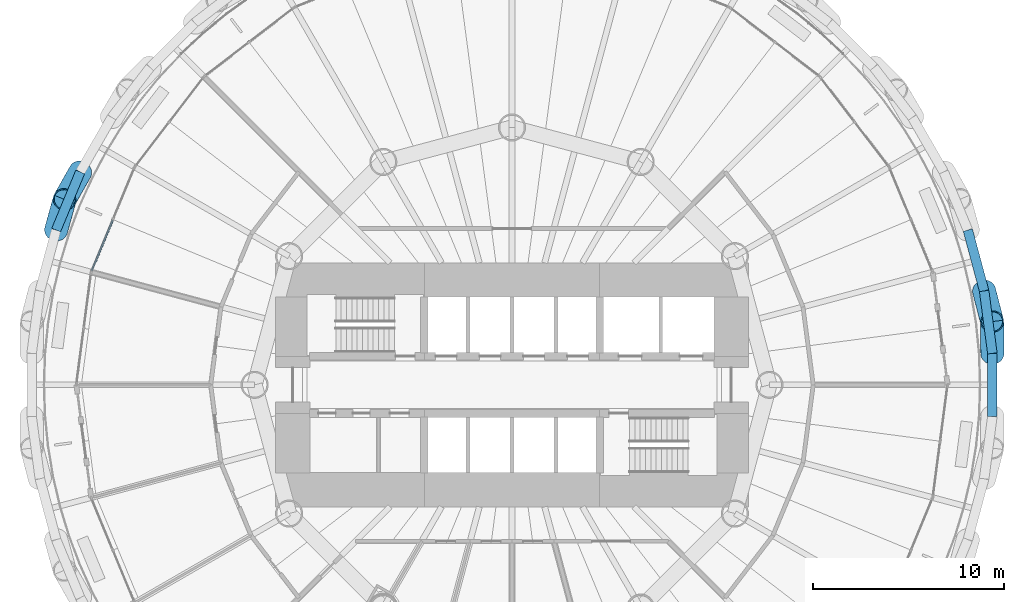
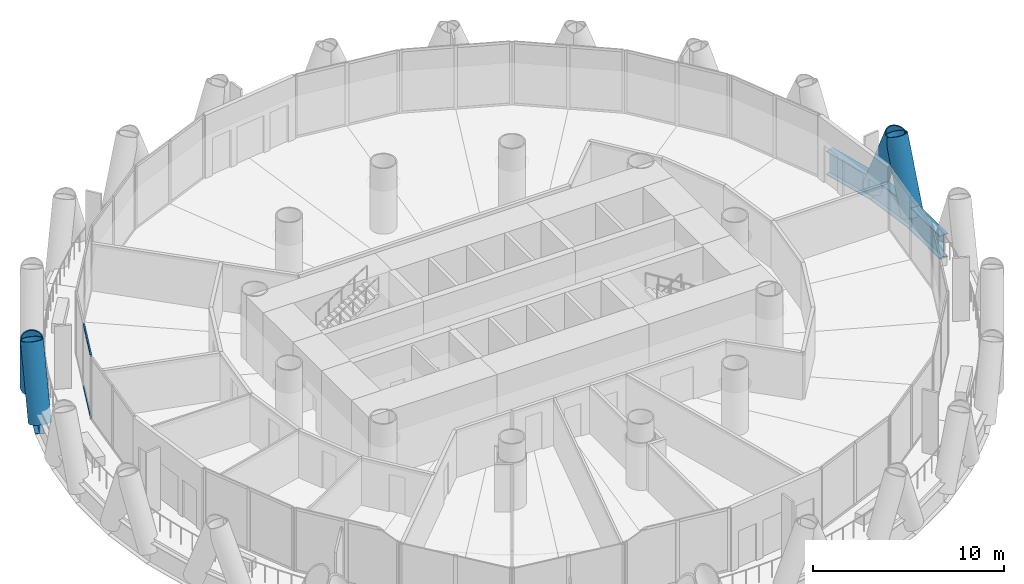
# One storey, part 5 of 16: 6 members, 4 beams, 1 element without a shape of its own.
"""IFC4 building model written with IfcOpenShell, lengths in metres."""

import ifcopenshell
import ifcopenshell.guid

model = None  # the IFC model being written
_history = None  # IfcOwnerHistory: only IFC2X3 demands one
_inside = {}  # id of a spatial element -> (the spatial element, [elements in it])
_under = {}  # id of a project, library or spatial element -> (it, [spatial elements below it])
_declared = {}  # id of a project -> (the project, [libraries it declares])
_typed = {}  # id of a type object -> (the type object, [elements of that type])
_made_of = {}  # id of a material, layer set ... -> (it, [elements and type objects made of it])


def new_model(schema):
    """Start an empty IFC model of exactly this schema.

    Asked for "IFC4X3", IfcOpenShell would pick the latest addendum, in which some entities
    have other attributes; the version numbers below select the first issue.
    IFC2X3 requires an IfcOwnerHistory on every rooted entity: one is made here for all.
    """
    global model, _history
    if schema == "IFC4X3":
        model = ifcopenshell.file(schema_version=(4, 3, 0, 0))
    else:
        model = ifcopenshell.file(schema=schema)
    _inside.clear()
    _under.clear()
    _declared.clear()
    _typed.clear()
    _made_of.clear()
    _history = None
    if model.schema == "IFC2X3":
        org = make("IfcOrganization", Name="unknown")
        user = make(
            "IfcPersonAndOrganization",
            ThePerson=make("IfcPerson", FamilyName="unknown"),
            TheOrganization=org,
        )
        app = make(
            "IfcApplication",
            ApplicationDeveloper=org,
            Version="unknown",
            ApplicationFullName="unknown",
            ApplicationIdentifier="unknown",
        )
        _history = make(
            "IfcOwnerHistory",
            OwningUser=user,
            OwningApplication=app,
            ChangeAction="ADDED",
            CreationDate=0,
        )
    return model


def make(cls, **values):
    """One entity of the class cls with the attributes given. An attribute that is None is left unset."""
    return model.create_entity(
        cls, **{name: value for name, value in values.items() if value is not None}
    )


def rooted(cls, **values):
    """An entity with a GlobalId (a new one), such as an element, a storey or a relation."""
    return make(cls, GlobalId=ifcopenshell.guid.new(), OwnerHistory=_history, **values)


def si_unit(unit_type, name, prefix=None):
    """IfcSIUnit, for example si_unit("LENGTHUNIT", "METRE", prefix="MILLI")."""
    return make("IfcSIUnit", UnitType=unit_type, Prefix=prefix, Name=name)


def assignment(units):
    """IfcUnitAssignment: the units of a project."""
    return None if units is None else make("IfcUnitAssignment", Units=units)


def point(xyz):
    """IfcCartesianPoint."""
    return None if xyz is None else make("IfcCartesianPoint", Coordinates=xyz)


def direction(xyz):
    """IfcDirection."""
    return None if xyz is None else make("IfcDirection", DirectionRatios=xyz)


def frame(location, z_axis=None, x_axis=None):
    """IfcAxis2Placement3D, a coordinate frame: its origin and axes. An axis left out is left unset."""
    return make(
        "IfcAxis2Placement3D",
        Location=point(location),
        Axis=direction(z_axis),
        RefDirection=direction(x_axis),
    )


def frame_2d(location, x_axis=None):
    """IfcAxis2Placement2D, a coordinate frame in the plane: its origin and x axis."""
    return make(
        "IfcAxis2Placement2D", Location=point(location), RefDirection=direction(x_axis)
    )


def origin():
    """The frame at (0, 0, 0) with its axes left unset."""
    return frame((0.0, 0.0, 0.0))


def origin_2d():
    """The frame at (0, 0) in the plane with its x axis left unset."""
    return frame_2d((0.0, 0.0))


def place(relative_to, where):
    """IfcLocalPlacement: puts the frame where relative to a parent placement (None: the world)."""
    return make(
        "IfcLocalPlacement", PlacementRelTo=relative_to, RelativePlacement=where
    )


def context(
    kind, dimensions, precision=None, world=None, true_north=None, identifier=None
):
    """IfcGeometricRepresentationContext, for example the 3D "Model" context."""
    return make(
        "IfcGeometricRepresentationContext",
        ContextIdentifier=identifier,
        ContextType=kind,
        CoordinateSpaceDimension=dimensions,
        Precision=precision,
        WorldCoordinateSystem=world,
        TrueNorth=true_north,
    )


def subcontext(parent, identifier, kind, view, scale=None):
    """IfcGeometricRepresentationSubContext, for example "Body" below "Model"."""
    return make(
        "IfcGeometricRepresentationSubContext",
        ContextIdentifier=identifier,
        ContextType=kind,
        ParentContext=parent,
        TargetScale=scale,
        TargetView=view,
    )


def project(units=None, contexts=None):
    """IfcProject with its units and contexts."""
    return rooted(
        "IfcProject",
        Name="project",
        RepresentationContexts=contexts,
        UnitsInContext=assignment(units),
    )


def spatial(cls, under=None, at=None, **own):
    """A site, building, storey or space (cls), placed at a placement, below another one or the project."""
    s = rooted(cls, ObjectPlacement=at, **own)
    if under is not None:
        _under.setdefault(under.id(), (under, []))[1].append(s)
    return s


def profile(cls, at=None, kind="AREA", **sizes):
    """A parametric profile (cls). Its sizes go by their IFC names, for example OverallWidth=200.0."""
    return make(cls, ProfileType=kind, Position=at, **sizes)


def rectangle(**sizes):
    """IfcRectangleProfileDef."""
    return profile("IfcRectangleProfileDef", **sizes)


def hollow_circle(**sizes):
    """IfcCircleHollowProfileDef."""
    return profile("IfcCircleHollowProfileDef", **sizes)


def i_section(**sizes):
    """IfcIShapeProfileDef."""
    return profile("IfcIShapeProfileDef", **sizes)


def extrude(swept, where, along, depth):
    """IfcExtrudedAreaSolid: the profile swept, set in the frame where, extruded along a direction by depth."""
    return make(
        "IfcExtrudedAreaSolid",
        SweptArea=swept,
        Position=where,
        ExtrudedDirection=direction(along),
        Depth=depth,
    )


def shape(context_of_items, identifier, shape_type, items):
    """IfcShapeRepresentation: the items that make up one representation, for example the "Body"."""
    return make(
        "IfcShapeRepresentation",
        ContextOfItems=context_of_items,
        RepresentationIdentifier=identifier,
        RepresentationType=shape_type,
        Items=items,
    )


def material(Name=None, Category=None):
    """IfcMaterial."""
    return make("IfcMaterial", Name=Name, Category=Category)


def material_profile(
    of_material, cross_section, Name=None, Category=None, Priority=None
):
    """IfcMaterialProfile: a cross section and its material."""
    return make(
        "IfcMaterialProfile",
        Name=Name,
        Material=of_material,
        Profile=cross_section,
        Priority=Priority,
        Category=Category,
    )


def profile_set(profiles, Name=None, composite=None):
    """IfcMaterialProfileSet."""
    return make(
        "IfcMaterialProfileSet",
        Name=Name,
        MaterialProfiles=profiles,
        CompositeProfile=composite,
    )


def made_of(thing, what):
    """Note that an element or type object is made of a material, layer set ...; save() writes the relation."""
    if what is not None:
        _made_of.setdefault(what.id(), (what, []))[1].append(thing)
    return thing


def type_object(cls, material=None, **own):
    """A type object (cls), such as IfcWallType, which elements share."""
    return made_of(rooted(cls, **own), material)


def element(
    cls,
    number,
    at=None,
    inside=None,
    cuts=None,
    type_object=None,
    material=None,
    context=None,
    identifier="Body",
    shape_type=None,
    held_by="IfcProductDefinitionShape",
    body=None,
    shapes=None,
    **own,
):
    """One element of the class cls, such as IfcWall. Its Tag is "e" and its number.

    at: its placement. inside: the storey or other place that contains it. cuts: it is an
    opening in that element (IfcRelVoidsElement). A single representation is given by context,
    identifier, shape_type and body (its items); several are given by shapes. held_by: the class
    of the entity that holds the representations. save() writes the other relations.
    """
    e = rooted(cls, Tag="e%d" % number, ObjectPlacement=at, **own)
    if body is not None:
        shapes = [shape(context, identifier, shape_type, body)]
    if shapes is not None:
        e.Representation = make(held_by, Representations=shapes)
    if inside is not None:
        _inside.setdefault(inside.id(), (inside, []))[1].append(e)
    if cuts is not None:
        rooted(
            "IfcRelVoidsElement", RelatingBuildingElement=cuts, RelatedOpeningElement=e
        )
    if type_object is not None:
        _typed.setdefault(type_object.id(), (type_object, []))[1].append(e)
    return made_of(e, material)


def aggregate(whole, parts):
    """IfcRelAggregates: a whole, such as a stair, and the parts it consists of."""
    return rooted("IfcRelAggregates", RelatingObject=whole, RelatedObjects=parts)


def save(model, path):
    """Write the relations noted so far, then the file.

    IfcRelAggregates (storeys below a building ...), IfcRelContainedInSpatialStructure (elements
    in a storey), IfcRelDefinesByType, IfcRelAssociatesMaterial and IfcRelDeclares: one each for
    every whole, place, type object, material and project.
    """
    for whole, parts in _under.values():
        aggregate(whole, parts)
    for where, things in _inside.values():
        rooted(
            "IfcRelContainedInSpatialStructure",
            RelatedElements=things,
            RelatingStructure=where,
        )
    for kind, things in _typed.values():
        rooted("IfcRelDefinesByType", RelatedObjects=things, RelatingType=kind)
    for what, things in _made_of.values():
        rooted("IfcRelAssociatesMaterial", RelatedObjects=things, RelatingMaterial=what)
    for by, libraries in _declared.values():
        rooted("IfcRelDeclares", RelatingContext=by, RelatedDefinitions=libraries)
    model.write(path)


model = new_model("IFC4")

# Units and contexts
model_context = context("Model", 3, precision=1e-05, world=origin(), true_north=direction((0.0, 1.0)))
body_context = subcontext(model_context, "Body", "Model", "MODEL_VIEW")
ifc_project = project(units=[si_unit("LENGTHUNIT", "METRE"), si_unit("AREAUNIT", "SQUARE_METRE"), si_unit("VOLUMEUNIT", "CUBIC_METRE"), si_unit("PLANEANGLEUNIT", "RADIAN"), si_unit("MASSUNIT", "GRAM", prefix="KILO")], contexts=[model_context])

# Site, building, storey
site_placement = place(None, origin())
site = spatial("IfcSite", under=ifc_project, at=site_placement, CompositionType="ELEMENT")
building_placement = place(site_placement, origin())
building = spatial("IfcBuilding", under=site, at=building_placement, Name="Qaws Media Tower", CompositionType="ELEMENT")
storey_placement = place(building_placement, frame((0.0, 0.0, 63.800048828125)))
storey = spatial("IfcBuildingStorey", under=building, at=storey_placement, Name="L13", CompositionType="ELEMENT", Elevation=63.800048828125)

# Curtain wall, members
ifc_material_1 = material(Name="Aluminium and clear glass", Category="aluminium")
curtain_wall_type = type_object("IfcCurtainWallType", Name="Unitised curtain wall CW-A", PredefinedType="NOTDEFINED", material=ifc_material_1)
curtain_wall_placement = place(storey_placement, origin())
curtain_wall = element("IfcCurtainWall", 1, at=curtain_wall_placement, inside=storey, type_object=curtain_wall_type, Name="CWA curtain wall L13-11", PredefinedType="NOTDEFINED")
ifc_material_2 = material(Name="Aluminium transom", Category="aluminium")
ifc_material_profile_1 = material_profile(ifc_material_2, rectangle(XDim=0.080078125, YDim=0.159912109375, at=origin_2d()), Name="80x160")
ifc_profile_set_1 = profile_set([ifc_material_profile_1], Name="Aluminium transom")
member_type_1 = type_object("IfcMemberType", Name="Curtain wall transom 80x160", PredefinedType="USERDEFINED", material=ifc_profile_set_1)
member_1_placement = place(storey_placement, frame((39.0546875, 58.632568359375, 0.0400390625), z_axis=(-0.382700809207, -0.923872334596, 0.0), x_axis=(0.923872334596, -0.382700809207, 0.0)))
member_1 = element("IfcMember", 2, at=member_1_placement, type_object=member_type_1, Name="CWA transom 2.1", ObjectType="TRANSOM", PredefinedType="USERDEFINED", context=body_context, shape_type="SweptSolid", body=[
    extrude(rectangle(XDim=0.080078125, YDim=0.159912109375, at=origin_2d()), origin(), (0.0, 0.0, 1.0), 2.862548828125),
])
member_2_placement = place(storey_placement, frame((39.0546875, 58.632568359375, 4.0), z_axis=(-0.382700809207, -0.923872334596, 0.0), x_axis=(0.923872334596, -0.382700809207, 0.0)))
member_2 = element("IfcMember", 3, at=member_2_placement, type_object=member_type_1, Name="CWA transom 2.2", ObjectType="TRANSOM", PredefinedType="USERDEFINED", context=body_context, shape_type="SweptSolid", body=[
    extrude(rectangle(XDim=0.080078125, YDim=0.159912109375, at=origin_2d()), origin(), (0.0, 0.0, 1.0), 2.862548828125),
])
aggregate(curtain_wall, [member_1, member_2])

# Members
ifc_material_3 = material(Name="Steel S460", Category="steel")
ifc_material_profile_2 = material_profile(ifc_material_3, hollow_circle(Radius=0.609619140625, WallThickness=0.06005859375, at=origin_2d()), Name="CHS 1219x60")
ifc_profile_set_2 = profile_set([ifc_material_profile_2], Name="Steel S460")
member_type_2 = type_object("IfcMemberType", Name="Diagrid member CHS 1219x60", PredefinedType="USERDEFINED", material=ifc_profile_set_2)
for number, where, z_axis, x_axis, name in (
    (4, (85.196044921875, 51.6513671875, -0.91015625), (-0.002972154616, 0.368331015728, 0.929689963993), (-0.999967445201, -0.008068986134, 0.0), "DG1 diagrid L13 A01"),
    (5, (84.764892578125, 54.926025390625, -0.91015625), (0.09246277664, -0.356503177963, 0.929707544897), (0.967973130471, 0.251053816316, 0.0), "DG1 diagrid L13 B02"),
    (6, (37.35400390625, 61.167724609375, -0.91015625), (-0.1816287215, -0.320403656582, 0.929705600916), (0.869944554123, -0.493149544005, 0.0), "DG1 diagrid L13 A11"),
    (7, (36.090087890625, 58.116455078125, -0.91015625), (0.098136755558, 0.354989178007, 0.929705254748), (-0.96384720691, 0.266455553014, 0.0), "DG1 diagrid L13 B12"),
):
    element("IfcMember", number, at=place(storey_placement, frame(where, z_axis=z_axis, x_axis=x_axis)), inside=storey, type_object=member_type_2, Name=name, ObjectType="DIAGRID", PredefinedType="USERDEFINED", context=body_context, shape_type="SweptSolid", body=[
        extrude(hollow_circle(Radius=0.609619140625, WallThickness=0.06005859375, at=origin_2d()), origin(), (0.0, 0.0, 1.0), 4.517822265625),
    ])

# Beams
ifc_material_4 = material(Name="Steel S460", Category="steel")
ifc_material_profile_3 = material_profile(ifc_material_4, i_section(OverallWidth=0.5, OverallDepth=1.5, WebThickness=0.02001953125, FlangeThickness=0.0400390625, at=origin_2d()), Name="PG 1500x500")
ifc_profile_set_3 = profile_set([ifc_material_profile_3], Name="Steel S460")
beam_type = type_object("IfcBeamType", Name="Edge ring beam PG 1500x500", PredefinedType="BEAM", material=ifc_profile_set_3)
for number, where, z_axis, x_axis, name in (
    (8, (85.196044921875, 51.6513671875, -0.91015625), (-0.130536731142, 0.991443473841, 0.0), (-0.991443473841, -0.130536731142, 0.0), "RB4 edge ring beam L13-01"),
    (9, (84.764892578125, 54.926025390625, -0.91015625), (-0.258849385643, 0.965917696055, 0.0), (-0.965917696055, -0.258849385643, 0.0), "RB4 edge ring beam L13-02"),
):
    element("IfcBeam", number, at=place(storey_placement, frame(where, z_axis=z_axis, x_axis=x_axis)), inside=storey, type_object=beam_type, Name=name, PredefinedType="BEAM", context=body_context, shape_type="SweptSolid", body=[
        extrude(i_section(OverallWidth=0.5, OverallDepth=1.5, WebThickness=0.02001953125, FlangeThickness=0.0400390625, at=origin_2d()), origin(), (0.0, 0.0, 1.0), 3.302978515625),
    ])
for number, where, z_axis, x_axis, name in (
    (10, (37.35400390625, 61.167724609375, -0.91015625), (-0.382693458177, -0.92387537962, 0.0), (0.92387537962, -0.382693458177, 0.0), "RB4 edge ring beam L13-21"),
    (11, (85.196044921875, 48.3486328125, -0.91015625), (0.0, 1.0, 0.0), (-1.0, 0.0, 0.0), "RB4 edge ring beam L13-48"),
):
    element("IfcBeam", number, at=place(storey_placement, frame(where, z_axis=z_axis, x_axis=x_axis)), inside=storey, type_object=beam_type, Name=name, PredefinedType="BEAM", context=body_context, shape_type="SweptSolid", body=[
        extrude(i_section(OverallWidth=0.5, OverallDepth=1.5, WebThickness=0.02001953125, FlangeThickness=0.0400390625, at=origin_2d()), origin(), (0.0, 0.0, 1.0), 3.302734375),
    ])

save(model, "model.ifc")
